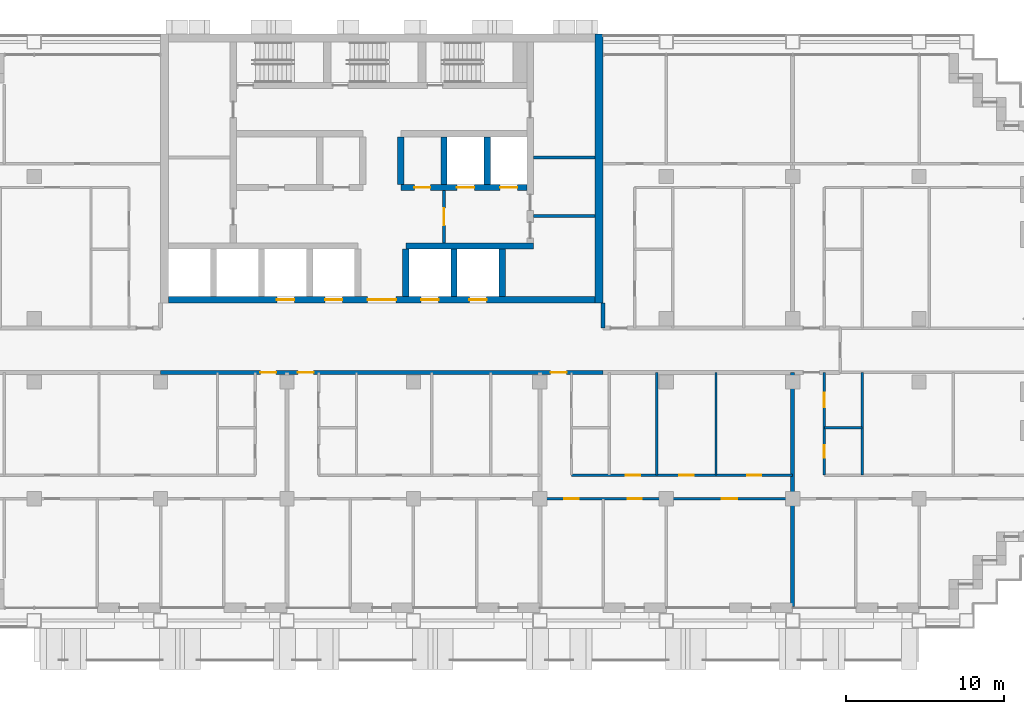
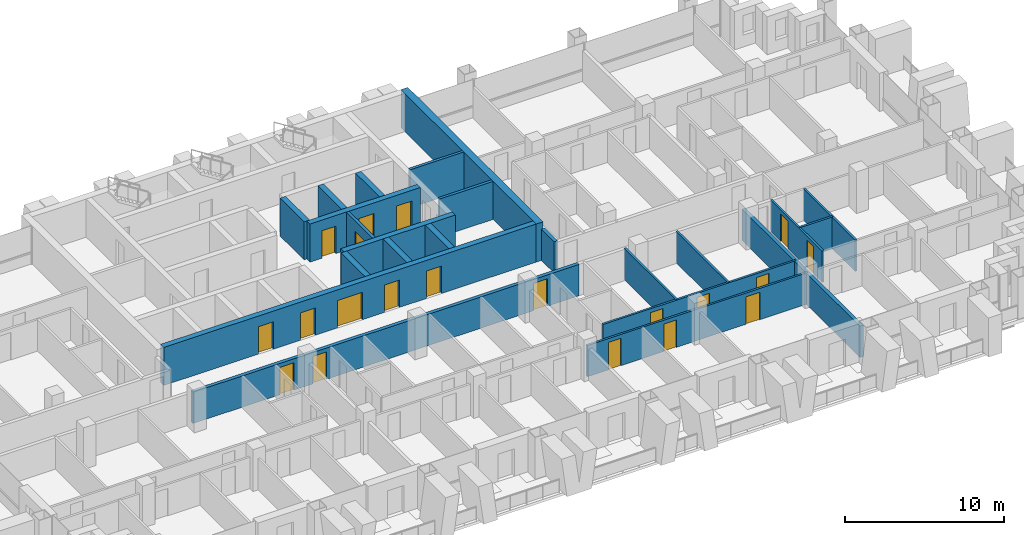
# One storey, part 11 of 18: 23 walls, 20 doors, 20 openings.
"""IFC4 building model written with IfcOpenShell, lengths in metres."""

from ifc_helpers import new_model, si_unit, direction, frame, frame_2d, origin, place, context, subcontext, project, spatial, rectangle, extrude, material, layer, layer_set, type_object, element, fill, save


model = new_model("IFC4")

# Units and contexts
model_context = context("Model", 3, precision=1e-05, world=origin(), true_north=direction((0.0, 1.0)))
body_context = subcontext(model_context, "Body", "Model", "MODEL_VIEW")
ifc_project = project(units=[si_unit("LENGTHUNIT", "METRE"), si_unit("AREAUNIT", "SQUARE_METRE"), si_unit("VOLUMEUNIT", "CUBIC_METRE"), si_unit("PLANEANGLEUNIT", "RADIAN"), si_unit("MASSUNIT", "GRAM", prefix="KILO")], contexts=[model_context])

# Site, building, storey
site_placement = place(None, origin())
site = spatial("IfcSite", under=ifc_project, at=site_placement, CompositionType="ELEMENT")
building_placement = place(site_placement, origin())
building = spatial("IfcBuilding", under=site, at=building_placement, Name="Vidyagriha Tower", CompositionType="ELEMENT")
storey_placement = place(building_placement, frame((0.0, 0.0, 80.699951171875)))
storey = spatial("IfcBuildingStorey", under=building, at=storey_placement, Name="L20", CompositionType="ELEMENT", Elevation=80.699951171875)

# Wall, openings, doors
ifc_material_1 = material(Name="Concrete C60/75", Category="concrete")
ifc_layer_1 = layer(ifc_material_1, 0.39990234375)
ifc_layer_set_1 = layer_set([ifc_layer_1], Name="Concrete C60/75")
wall_type_1 = type_object("IfcWallType", Name="Core shear wall 400 mm", PredefinedType="SHEAR", material=ifc_layer_set_1)
wall_1_placement = place(storey_placement, frame((-13.5, 3.199951171875, 0.0)))
wall_1 = element("IfcWall", 1, at=wall_1_placement, inside=storey, type_object=wall_type_1, Name="Core front wall", PredefinedType="SHEAR", context=body_context, shape_type="SweptSolid", body=[
    extrude(rectangle(XDim=27.0, YDim=0.39990234375, at=frame_2d((13.5, 0.0))), origin(), (0.0, 0.0, 1.0), 2.920166015625),
])
opening_1_placement = place(wall_1_placement, frame((6.861083984375, 0.0, 0.0)))
opening_1 = element("IfcOpeningElement", 2, at=opening_1_placement, cuts=wall_1, Name="Opening LD20-01", PredefinedType="OPENING", context=body_context, shape_type="SweptSolid", body=[
    extrude(rectangle(XDim=1.10009765625, YDim=2.10009765625, at=frame_2d((0.550048828125, 1.050048828125))), frame((0.0, 0.2099609375, 0.0), z_axis=(0.0, -1.0, 0.0), x_axis=(1.0, 0.0, 0.0)), (0.0, 0.0, 1.0), 0.419921875),
])
opening_2_placement = place(wall_1_placement, frame((9.905517578125, 0.0, 0.0)))
opening_2 = element("IfcOpeningElement", 3, at=opening_2_placement, cuts=wall_1, Name="Opening LD20-02", PredefinedType="OPENING", context=body_context, shape_type="SweptSolid", body=[
    extrude(rectangle(XDim=1.10009765625, YDim=2.10009765625, at=frame_2d((0.550048828125, 1.050048828125))), frame((0.0, 0.2099609375, 0.0), z_axis=(0.0, -1.0, 0.0), x_axis=(1.0, 0.0, 0.0)), (0.0, 0.0, 1.0), 0.419921875),
])
opening_3_placement = place(wall_1_placement, frame((15.994384765625, 0.0, 0.0)))
opening_3 = element("IfcOpeningElement", 4, at=opening_3_placement, cuts=wall_1, Name="Opening LD20-03", PredefinedType="OPENING", context=body_context, shape_type="SweptSolid", body=[
    extrude(rectangle(XDim=1.10009765625, YDim=2.10009765625, at=frame_2d((0.550048828125, 1.050048828125))), frame((0.0, 0.2099609375, 0.0), z_axis=(0.0, -1.0, 0.0), x_axis=(1.0, 0.0, 0.0)), (0.0, 0.0, 1.0), 0.419921875),
])
opening_4_placement = place(wall_1_placement, frame((19.038818359375, 0.0, 0.0)))
opening_4 = element("IfcOpeningElement", 5, at=opening_4_placement, cuts=wall_1, Name="Opening LD20-04", PredefinedType="OPENING", context=body_context, shape_type="SweptSolid", body=[
    extrude(rectangle(XDim=1.10009765625, YDim=2.10009765625, at=frame_2d((0.550048828125, 1.050048828125))), frame((0.0, 0.2099609375, 0.0), z_axis=(0.0, -1.0, 0.0), x_axis=(1.0, 0.0, 0.0)), (0.0, 0.0, 1.0), 0.419921875),
])
opening_5_placement = place(wall_1_placement, frame((12.60009765625, 0.0, 0.0)))
opening_5 = element("IfcOpeningElement", 6, at=opening_5_placement, cuts=wall_1, Name="Opening D20-01", PredefinedType="OPENING", context=body_context, shape_type="SweptSolid", body=[
    extrude(rectangle(XDim=1.800048828125, YDim=2.10009765625, at=frame_2d((0.89990234375, 1.050048828125))), frame((0.0, 0.2099609375, 0.0), z_axis=(0.0, -1.0, 0.0), x_axis=(1.0, 0.0, 0.0)), (0.0, 0.0, 1.0), 0.419921875),
])
ifc_material_2 = material(Name="Hollow metal door leaf")
door_type_1 = type_object("IfcDoorType", Name="Core lobby double door 1800 x 2100 mm EI 60", OperationType="NOTDEFINED", PredefinedType="DOOR", material=ifc_material_2)
door_1_placement = place(opening_5_placement, frame((1.800048828125, 0.0, 0.0), z_axis=(0.0, 0.0, 1.0), x_axis=(-1.0, 0.0, 0.0)))
door_1 = element("IfcDoor", 7, at=door_1_placement, inside=storey, type_object=door_type_1, Name="Core entrance door L20", OperationType="DOUBLE_DOOR_SINGLE_SWING", OverallHeight=2.10009765625, OverallWidth=1.800048828125, PredefinedType="DOOR", context=body_context, shape_type="SweptSolid", body=[
    extrude(rectangle(XDim=1.800048828125, YDim=2.10009765625, at=frame_2d((0.89990234375, 1.050048828125))), frame((0.0, 0.02490234375, 0.0), z_axis=(0.0, -1.0, 0.0), x_axis=(1.0, 0.0, 0.0)), (0.0, 0.0, 1.0), 0.050048828125),
])
fill(opening_5, door_1)
ifc_material_3 = material(Name="Stainless steel sliding door panel", Category="steel")
door_type_2 = type_object("IfcDoorType", Name="Lift landing door 1100 x 2100 mm EI 90", OperationType="NOTDEFINED", PredefinedType="DOOR", material=ifc_material_3)
door_2_placement = place(opening_1_placement, origin())
door_2 = element("IfcDoor", 8, at=door_2_placement, inside=storey, type_object=door_type_2, Name="Landing door LR1 L20", OperationType="SLIDING_TO_LEFT", OverallHeight=2.10009765625, OverallWidth=1.10009765625, PredefinedType="DOOR", context=body_context, shape_type="SweptSolid", body=[
    extrude(rectangle(XDim=1.10009765625, YDim=2.10009765625, at=frame_2d((0.550048828125, 1.050048828125))), frame((0.0, 0.02490234375, 0.0), z_axis=(0.0, -1.0, 0.0), x_axis=(1.0, 0.0, 0.0)), (0.0, 0.0, 1.0), 0.050048828125),
])
fill(opening_1, door_2)
door_3_placement = place(opening_2_placement, origin())
door_3 = element("IfcDoor", 9, at=door_3_placement, inside=storey, type_object=door_type_2, Name="Landing door LR2 L20", OperationType="SLIDING_TO_LEFT", OverallHeight=2.10009765625, OverallWidth=1.10009765625, PredefinedType="DOOR", context=body_context, shape_type="SweptSolid", body=[
    extrude(rectangle(XDim=1.10009765625, YDim=2.10009765625, at=frame_2d((0.550048828125, 1.050048828125))), frame((0.0, 0.02490234375, 0.0), z_axis=(0.0, -1.0, 0.0), x_axis=(1.0, 0.0, 0.0)), (0.0, 0.0, 1.0), 0.050048828125),
])
fill(opening_2, door_3)
door_4_placement = place(opening_3_placement, origin())
door_4 = element("IfcDoor", 10, at=door_4_placement, inside=storey, type_object=door_type_2, Name="Landing door LR3 L20", OperationType="SLIDING_TO_LEFT", OverallHeight=2.10009765625, OverallWidth=1.10009765625, PredefinedType="DOOR", context=body_context, shape_type="SweptSolid", body=[
    extrude(rectangle(XDim=1.10009765625, YDim=2.10009765625, at=frame_2d((0.550048828125, 1.050048828125))), frame((0.0, 0.02490234375, 0.0), z_axis=(0.0, -1.0, 0.0), x_axis=(1.0, 0.0, 0.0)), (0.0, 0.0, 1.0), 0.050048828125),
])
fill(opening_3, door_4)
door_5_placement = place(opening_4_placement, origin())
door_5 = element("IfcDoor", 11, at=door_5_placement, inside=storey, type_object=door_type_2, Name="Landing door LR4 L20", OperationType="SLIDING_TO_LEFT", OverallHeight=2.10009765625, OverallWidth=1.10009765625, PredefinedType="DOOR", context=body_context, shape_type="SweptSolid", body=[
    extrude(rectangle(XDim=1.10009765625, YDim=2.10009765625, at=frame_2d((0.550048828125, 1.050048828125))), frame((0.0, 0.02490234375, 0.0), z_axis=(0.0, -1.0, 0.0), x_axis=(1.0, 0.0, 0.0)), (0.0, 0.0, 1.0), 0.050048828125),
])
fill(opening_4, door_5)

# Walls
wall_2_placement = place(storey_placement, frame((1.522216796875, 6.60009765625, 0.0)))
element("IfcWall", 12, at=wall_2_placement, inside=storey, type_object=wall_type_1, Name="Core lobby south wall east", PredefinedType="SHEAR", context=body_context, shape_type="SweptSolid", body=[
    extrude(rectangle(XDim=8.077880859375, YDim=0.39990234375, at=frame_2d((4.0390625, 0.0))), origin(), (0.0, 0.0, 1.0), 2.920166015625),
])
for number, where, z_axis, x_axis, name in (
    (13, (1.522216796875, 3.39990234375, 0.0), (0.0, 0.0, 1.0), (0.0, 1.0, 0.0), "Core bay wall S5"),
    (14, (4.566650390625, 3.39990234375, 0.0), (0.0, 0.0, 1.0), (0.0, 1.0, 0.0), "Core bay wall S6"),
    (15, (7.611083984375, 3.39990234375, 0.0), (0.0, 0.0, 1.0), (0.0, 1.0, 0.0), "Core bay wall S7"),
):
    element("IfcWall", number, at=place(storey_placement, frame(where, z_axis=z_axis, x_axis=x_axis)), inside=storey, type_object=wall_type_1, Name=name, PredefinedType="SHEAR", context=body_context, shape_type="SweptSolid", body=[
        extrude(rectangle(XDim=3.0, YDim=0.39990234375, at=frame_2d((1.5, 0.0))), origin(), (0.0, 0.0, 1.0), 2.920166015625),
    ])

# Wall, openings, doors
wall_3_placement = place(storey_placement, frame((1.199951171875, 10.300048828125, 0.0)))
wall_3 = element("IfcWall", 16, at=wall_3_placement, inside=storey, type_object=wall_type_1, Name="Core row N front wall", PredefinedType="SHEAR", context=body_context, shape_type="SweptSolid", body=[
    extrude(rectangle(XDim=8.0, YDim=0.39990234375, at=frame_2d((4.0, 0.0))), origin(), (0.0, 0.0, 1.0), 2.920166015625),
])
opening_6_placement = place(wall_3_placement, frame((3.550048828125, 0.0, 0.0)))
opening_6 = element("IfcOpeningElement", 17, at=opening_6_placement, cuts=wall_3, Name="Opening LD20-05", PredefinedType="OPENING", context=body_context, shape_type="SweptSolid", body=[
    extrude(rectangle(XDim=1.10009765625, YDim=2.10009765625, at=frame_2d((0.550048828125, 1.050048828125))), frame((0.0, 0.2099609375, 0.0), z_axis=(0.0, -1.0, 0.0), x_axis=(1.0, 0.0, 0.0)), (0.0, 0.0, 1.0), 0.419921875),
])
opening_7_placement = place(wall_3_placement, frame((6.283203125, 0.0, 0.0)))
opening_7 = element("IfcOpeningElement", 18, at=opening_7_placement, cuts=wall_3, Name="Opening LD20-06", PredefinedType="OPENING", context=body_context, shape_type="SweptSolid", body=[
    extrude(rectangle(XDim=1.10009765625, YDim=2.10009765625, at=frame_2d((0.550048828125, 1.050048828125))), frame((0.0, 0.2099609375, 0.0), z_axis=(0.0, -1.0, 0.0), x_axis=(1.0, 0.0, 0.0)), (0.0, 0.0, 1.0), 0.419921875),
])
opening_8_placement = place(wall_3_placement, frame((0.86669921875, 0.0, 0.0)))
opening_8 = element("IfcOpeningElement", 19, at=opening_8_placement, cuts=wall_3, Name="Opening D20-04", PredefinedType="OPENING", context=body_context, shape_type="SweptSolid", body=[
    extrude(rectangle(XDim=1.0, YDim=2.10009765625, at=frame_2d((0.5, 1.050048828125))), frame((0.0, 0.2099609375, 0.0), z_axis=(0.0, -1.0, 0.0), x_axis=(1.0, 0.0, 0.0)), (0.0, 0.0, 1.0), 0.419921875),
])
ifc_material_4 = material(Name="Hollow metal door leaf")
door_type_3 = type_object("IfcDoorType", Name="Core room door 1000 x 2100 mm EI 60", OperationType="NOTDEFINED", PredefinedType="DOOR", material=ifc_material_4)
door_6_placement = place(opening_8_placement, frame((1.0, 0.0, 0.0), z_axis=(0.0, 0.0, 1.0), x_axis=(-1.0, 0.0, 0.0)))
door_6 = element("IfcDoor", 20, at=door_6_placement, inside=storey, type_object=door_type_3, Name="Door Pressurisation Plant Room 20.16", OperationType="SINGLE_SWING_LEFT", OverallHeight=2.10009765625, OverallWidth=1.0, PredefinedType="DOOR", context=body_context, shape_type="SweptSolid", body=[
    extrude(rectangle(XDim=1.0, YDim=2.10009765625, at=frame_2d((0.5, 1.050048828125))), frame((0.0, 0.02490234375, 0.0), z_axis=(0.0, -1.0, 0.0), x_axis=(1.0, 0.0, 0.0)), (0.0, 0.0, 1.0), 0.050048828125),
])
fill(opening_8, door_6)
door_7_placement = place(opening_6_placement, origin())
door_7 = element("IfcDoor", 21, at=door_7_placement, inside=storey, type_object=door_type_2, Name="Landing door FF1 L20", OperationType="SLIDING_TO_LEFT", OverallHeight=2.10009765625, OverallWidth=1.10009765625, PredefinedType="DOOR", context=body_context, shape_type="SweptSolid", body=[
    extrude(rectangle(XDim=1.10009765625, YDim=2.10009765625, at=frame_2d((0.550048828125, 1.050048828125))), frame((0.0, 0.02490234375, 0.0), z_axis=(0.0, -1.0, 0.0), x_axis=(1.0, 0.0, 0.0)), (0.0, 0.0, 1.0), 0.050048828125),
])
fill(opening_6, door_7)
door_8_placement = place(opening_7_placement, origin())
door_8 = element("IfcDoor", 22, at=door_8_placement, inside=storey, type_object=door_type_2, Name="Landing door FF2 L20", OperationType="SLIDING_TO_LEFT", OverallHeight=2.10009765625, OverallWidth=1.10009765625, PredefinedType="DOOR", context=body_context, shape_type="SweptSolid", body=[
    extrude(rectangle(XDim=1.10009765625, YDim=2.10009765625, at=frame_2d((0.550048828125, 1.050048828125))), frame((0.0, 0.02490234375, 0.0), z_axis=(0.0, -1.0, 0.0), x_axis=(1.0, 0.0, 0.0)), (0.0, 0.0, 1.0), 0.050048828125),
])
fill(opening_7, door_8)

# Walls
for number, where, z_axis, x_axis, name in (
    (23, (1.199951171875, 10.5, 0.0), (0.0, 0.0, 1.0), (0.0, 1.0, 0.0), "Core bay wall N4"),
    (24, (3.933349609375, 10.5, 0.0), (0.0, 0.0, 1.0), (0.0, 1.0, 0.0), "Core bay wall N5"),
    (25, (6.666748046875, 10.5, 0.0), (0.0, 0.0, 1.0), (0.0, 1.0, 0.0), "Core bay wall N6"),
):
    element("IfcWall", number, at=place(storey_placement, frame(where, z_axis=z_axis, x_axis=x_axis)), inside=storey, type_object=wall_type_1, Name=name, PredefinedType="SHEAR", context=body_context, shape_type="SweptSolid", body=[
        extrude(rectangle(XDim=3.0, YDim=0.39990234375, at=frame_2d((1.5, 0.0))), origin(), (0.0, 0.0, 1.0), 2.920166015625),
    ])
ifc_material_5 = material(Name="Concrete C60/75", Category="concrete")
ifc_layer_2 = layer(ifc_material_5, 0.5)
ifc_layer_set_2 = layer_set([ifc_layer_2], Name="Concrete C60/75")
wall_type_2 = type_object("IfcWallType", Name="Core shear wall 500 mm", PredefinedType="SHEAR", material=ifc_layer_set_2)
wall_4_placement = place(storey_placement, frame((13.75, 3.0, 0.0), z_axis=(0.0, 0.0, 1.0), x_axis=(0.0, 1.0, 0.0)))
element("IfcWall", 26, at=wall_4_placement, inside=storey, type_object=wall_type_2, Name="Core east wall", PredefinedType="SHEAR", context=body_context, shape_type="SweptSolid", body=[
    extrude(rectangle(XDim=17.0, YDim=0.5, at=frame_2d((8.5, 0.0))), origin(), (0.0, 0.0, 1.0), 2.920166015625),
])

# Wall, openings, doors
ifc_material_6 = material(Name="Fired clay brick masonry", Category="masonry")
ifc_layer_3 = layer(ifc_material_6, 0.25)
ifc_layer_set_3 = layer_set([ifc_layer_3], Name="Fired clay brick masonry")
wall_type_3 = type_object("IfcWallType", Name="Fired clay brick corridor wall 250", PredefinedType="PARTITIONING", material=ifc_layer_set_3)
wall_5_placement = place(storey_placement, frame((14.0, -1.39990234375, 0.0), z_axis=(0.0, 0.0, 1.0), x_axis=(-1.0, 0.0, 0.0)))
wall_5 = element("IfcWall", 27, at=wall_5_placement, inside=storey, type_object=wall_type_3, Name="Wall all-L20-w131", PredefinedType="PARTITIONING", context=body_context, shape_type="SweptSolid", body=[
    extrude(rectangle(XDim=28.0, YDim=0.25, at=frame_2d((14.0, 0.0))), origin(), (0.0, 0.0, 1.0), 2.400146484375),
])
opening_9_placement = place(wall_5_placement, frame((20.68896484375, 0.0, 0.0)))
opening_9 = element("IfcOpeningElement", 28, at=opening_9_placement, cuts=wall_5, Name="Opening D20-24", PredefinedType="OPENING", context=body_context, shape_type="SweptSolid", body=[
    extrude(rectangle(XDim=1.0, YDim=2.10009765625, at=frame_2d((0.5, 1.050048828125))), frame((0.0, 0.135009765625, 0.0), z_axis=(0.0, -1.0, 0.0), x_axis=(1.0, 0.0, 0.0)), (0.0, 0.0, 1.0), 0.27001953125),
])
opening_10_placement = place(wall_5_placement, frame((18.31103515625, 0.0, 0.0)))
opening_10 = element("IfcOpeningElement", 29, at=opening_10_placement, cuts=wall_5, Name="Opening D20-34", PredefinedType="OPENING", context=body_context, shape_type="SweptSolid", body=[
    extrude(rectangle(XDim=1.0, YDim=2.10009765625, at=frame_2d((0.5, 1.050048828125))), frame((0.0, 0.135009765625, 0.0), z_axis=(0.0, -1.0, 0.0), x_axis=(1.0, 0.0, 0.0)), (0.0, 0.0, 1.0), 0.27001953125),
])
opening_11_placement = place(wall_5_placement, frame((2.31103515625, 0.0, 0.0)))
opening_11 = element("IfcOpeningElement", 30, at=opening_11_placement, cuts=wall_5, Name="Opening D20-43", PredefinedType="OPENING", context=body_context, shape_type="SweptSolid", body=[
    extrude(rectangle(XDim=1.0, YDim=2.10009765625, at=frame_2d((0.5, 1.050048828125))), frame((0.0, 0.135009765625, 0.0), z_axis=(0.0, -1.0, 0.0), x_axis=(1.0, 0.0, 0.0)), (0.0, 0.0, 1.0), 0.27001953125),
])
ifc_material_7 = material(Name="Fire-rated timber door leaf EI 60", Category="wood")
door_type_4 = type_object("IfcDoorType", Name="Flat entrance fire door 1000x2100", OperationType="NOTDEFINED", PredefinedType="DOOR", material=ifc_material_7)
door_9_placement = place(opening_9_placement, origin())
door_9 = element("IfcDoor", 31, at=door_9_placement, inside=storey, type_object=door_type_4, Name="Door D20-24", OperationType="SINGLE_SWING_LEFT", OverallHeight=2.10009765625, OverallWidth=1.0, PredefinedType="DOOR", context=body_context, shape_type="SweptSolid", body=[
    extrude(rectangle(XDim=1.0, YDim=2.10009765625, at=frame_2d((0.5, 1.050048828125))), frame((0.0, 0.02490234375, 0.0), z_axis=(0.0, -1.0, 0.0), x_axis=(1.0, 0.0, 0.0)), (0.0, 0.0, 1.0), 0.050048828125),
])
fill(opening_9, door_9)
door_10_placement = place(opening_10_placement, origin())
door_10 = element("IfcDoor", 32, at=door_10_placement, inside=storey, type_object=door_type_4, Name="Door D20-34", OperationType="SINGLE_SWING_RIGHT", OverallHeight=2.10009765625, OverallWidth=1.0, PredefinedType="DOOR", context=body_context, shape_type="SweptSolid", body=[
    extrude(rectangle(XDim=1.0, YDim=2.10009765625, at=frame_2d((0.5, 1.050048828125))), frame((0.0, 0.02490234375, 0.0), z_axis=(0.0, -1.0, 0.0), x_axis=(1.0, 0.0, 0.0)), (0.0, 0.0, 1.0), 0.050048828125),
])
fill(opening_10, door_10)
door_11_placement = place(opening_11_placement, origin())
door_11 = element("IfcDoor", 33, at=door_11_placement, inside=storey, type_object=door_type_4, Name="Door D20-43", OperationType="SINGLE_SWING_RIGHT", OverallHeight=2.10009765625, OverallWidth=1.0, PredefinedType="DOOR", context=body_context, shape_type="SweptSolid", body=[
    extrude(rectangle(XDim=1.0, YDim=2.10009765625, at=frame_2d((0.5, 1.050048828125))), frame((0.0, 0.02490234375, 0.0), z_axis=(0.0, -1.0, 0.0), x_axis=(1.0, 0.0, 0.0)), (0.0, 0.0, 1.0), 0.050048828125),
])
fill(opening_11, door_11)

# Walls
wall_6_placement = place(storey_placement, frame((14.0, 1.39990234375, 0.0), z_axis=(0.0, 0.0, 1.0), x_axis=(0.0, 1.0, 0.0)))
element("IfcWall", 34, at=wall_6_placement, inside=storey, type_object=wall_type_3, Name="Wall all-L20-w133", PredefinedType="PARTITIONING", context=body_context, shape_type="SweptSolid", body=[
    extrude(rectangle(XDim=1.60009765625, YDim=0.25, at=frame_2d((0.800048828125, 0.0))), origin(), (0.0, 0.0, 1.0), 2.400146484375),
])
ifc_material_8 = material(Name="Fired clay brick masonry", Category="masonry")
ifc_layer_4 = layer(ifc_material_8, 0.25)
ifc_layer_set_4 = layer_set([ifc_layer_4], Name="Fired clay brick masonry")
wall_type_4 = type_object("IfcWallType", Name="Fired clay brick demising wall 250", PredefinedType="PARTITIONING", material=ifc_layer_set_4)
wall_7_placement = place(storey_placement, frame((26.0, -1.39990234375, 0.0), z_axis=(0.0, 0.0, 1.0), x_axis=(0.0, -1.0, 0.0)))
element("IfcWall", 35, at=wall_7_placement, inside=storey, type_object=wall_type_4, Name="Wall all-L20-w079", PredefinedType="PARTITIONING", context=body_context, shape_type="SweptSolid", body=[
    extrude(rectangle(XDim=14.81005859375, YDim=0.25, at=frame_2d((7.405029296875, 0.0))), origin(), (0.0, 0.0, 1.0), 2.400146484375),
])
ifc_material_9 = material(Name="Gypsum board partition")
ifc_layer_5 = layer(ifc_material_9, 0.14990234375)
ifc_layer_set_5 = layer_set([ifc_layer_5], Name="Gypsum board partition")
wall_type_5 = type_object("IfcWallType", Name="Gypsum board partition 150", PredefinedType="PARTITIONING", material=ifc_layer_set_5)
for number, where, z_axis, x_axis, name in (
    (36, (17.39990234375, -1.39990234375, 0.0), (0.0, 0.0, 1.0), (0.0, -1.0, 0.0), "Wall all-L20-w049"),
    (37, (21.14990234375, -1.39990234375, 0.0), (0.0, 0.0, 1.0), (0.0, -1.0, 0.0), "Wall all-L20-w050"),
):
    element("IfcWall", number, at=place(storey_placement, frame(where, z_axis=z_axis, x_axis=x_axis)), inside=storey, type_object=wall_type_5, Name=name, PredefinedType="PARTITIONING", context=body_context, shape_type="SweptSolid", body=[
        extrude(rectangle(XDim=6.5, YDim=0.14990234375, at=frame_2d((3.25, 0.0))), origin(), (0.0, 0.0, 1.0), 2.400146484375),
    ])

# Wall, openings, doors
wall_8_placement = place(storey_placement, frame((12.0, -7.89990234375, 0.0)))
wall_8 = element("IfcWall", 38, at=wall_8_placement, inside=storey, type_object=wall_type_5, Name="Wall all-L20-w051", PredefinedType="PARTITIONING", context=body_context, shape_type="SweptSolid", body=[
    extrude(rectangle(XDim=14.0, YDim=0.14990234375, at=frame_2d((7.0, 0.0))), origin(), (0.0, 0.0, 1.0), 2.400146484375),
])
opening_12_placement = place(wall_8_placement, frame((3.449951171875, 0.0, 0.0)))
opening_12 = element("IfcOpeningElement", 39, at=opening_12_placement, cuts=wall_8, Name="Opening D20-37", PredefinedType="OPENING", context=body_context, shape_type="SweptSolid", body=[
    extrude(rectangle(XDim=0.89990234375, YDim=2.10009765625, at=frame_2d((0.449951171875, 1.050048828125))), frame((0.0, 0.0849609375, 0.0), z_axis=(0.0, -1.0, 0.0), x_axis=(1.0, 0.0, 0.0)), (0.0, 0.0, 1.0), 0.169921875),
])
opening_13_placement = place(wall_8_placement, frame((6.824951171875, 0.0, 0.0)))
opening_13 = element("IfcOpeningElement", 40, at=opening_13_placement, cuts=wall_8, Name="Opening D20-38", PredefinedType="OPENING", context=body_context, shape_type="SweptSolid", body=[
    extrude(rectangle(XDim=0.89990234375, YDim=2.10009765625, at=frame_2d((0.449951171875, 1.050048828125))), frame((0.0, 0.0849609375, 0.0), z_axis=(0.0, -1.0, 0.0), x_axis=(1.0, 0.0, 0.0)), (0.0, 0.0, 1.0), 0.169921875),
])
opening_14_placement = place(wall_8_placement, frame((11.125, 0.0, 0.0)))
opening_14 = element("IfcOpeningElement", 41, at=opening_14_placement, cuts=wall_8, Name="Opening D20-39", PredefinedType="OPENING", context=body_context, shape_type="SweptSolid", body=[
    extrude(rectangle(XDim=0.89990234375, YDim=2.10009765625, at=frame_2d((0.449951171875, 1.050048828125))), frame((0.0, 0.0849609375, 0.0), z_axis=(0.0, -1.0, 0.0), x_axis=(1.0, 0.0, 0.0)), (0.0, 0.0, 1.0), 0.169921875),
])
ifc_material_10 = material(Name="Timber door leaf", Category="wood")
door_type_5 = type_object("IfcDoorType", Name="Room door 900x2100", OperationType="NOTDEFINED", PredefinedType="DOOR", material=ifc_material_10)
door_12_placement = place(opening_12_placement, origin())
door_12 = element("IfcDoor", 42, at=door_12_placement, inside=storey, type_object=door_type_5, Name="Door D20-37", OperationType="SINGLE_SWING_RIGHT", OverallHeight=2.10009765625, OverallWidth=0.89990234375, PredefinedType="DOOR", context=body_context, shape_type="SweptSolid", body=[
    extrude(rectangle(XDim=0.89990234375, YDim=2.10009765625, at=frame_2d((0.449951171875, 1.050048828125))), frame((0.0, 0.02490234375, 0.0), z_axis=(0.0, -1.0, 0.0), x_axis=(1.0, 0.0, 0.0)), (0.0, 0.0, 1.0), 0.050048828125),
])
fill(opening_12, door_12)
door_13_placement = place(opening_13_placement, origin())
door_13 = element("IfcDoor", 43, at=door_13_placement, inside=storey, type_object=door_type_5, Name="Door D20-38", OperationType="SINGLE_SWING_RIGHT", OverallHeight=2.10009765625, OverallWidth=0.89990234375, PredefinedType="DOOR", context=body_context, shape_type="SweptSolid", body=[
    extrude(rectangle(XDim=0.89990234375, YDim=2.10009765625, at=frame_2d((0.449951171875, 1.050048828125))), frame((0.0, 0.02490234375, 0.0), z_axis=(0.0, -1.0, 0.0), x_axis=(1.0, 0.0, 0.0)), (0.0, 0.0, 1.0), 0.050048828125),
])
fill(opening_13, door_13)
door_14_placement = place(opening_14_placement, origin())
door_14 = element("IfcDoor", 44, at=door_14_placement, inside=storey, type_object=door_type_5, Name="Door D20-39", OperationType="SINGLE_SWING_RIGHT", OverallHeight=2.10009765625, OverallWidth=0.89990234375, PredefinedType="DOOR", context=body_context, shape_type="SweptSolid", body=[
    extrude(rectangle(XDim=0.89990234375, YDim=2.10009765625, at=frame_2d((0.449951171875, 1.050048828125))), frame((0.0, 0.02490234375, 0.0), z_axis=(0.0, -1.0, 0.0), x_axis=(1.0, 0.0, 0.0)), (0.0, 0.0, 1.0), 0.050048828125),
])
fill(opening_14, door_14)

wall_9_placement = place(storey_placement, frame((26.0, -9.39990234375, 0.0), z_axis=(0.0, 0.0, 1.0), x_axis=(-1.0, 0.0, 0.0)))
wall_9 = element("IfcWall", 45, at=wall_9_placement, inside=storey, type_object=wall_type_5, Name="Wall all-L20-w055", PredefinedType="PARTITIONING", context=body_context, shape_type="SweptSolid", body=[
    extrude(rectangle(XDim=16.0, YDim=0.14990234375, at=frame_2d((8.0, 0.0))), origin(), (0.0, 0.0, 1.0), 2.400146484375),
])
opening_15_placement = place(wall_9_placement, frame((13.550048828125, 0.0, 0.0)))
opening_15 = element("IfcOpeningElement", 46, at=opening_15_placement, cuts=wall_9, Name="Opening D20-40", PredefinedType="OPENING", context=body_context, shape_type="SweptSolid", body=[
    extrude(rectangle(XDim=0.89990234375, YDim=2.10009765625, at=frame_2d((0.449951171875, 1.050048828125))), frame((0.0, 0.0849609375, 0.0), z_axis=(0.0, -1.0, 0.0), x_axis=(1.0, 0.0, 0.0)), (0.0, 0.0, 1.0), 0.169921875),
])
opening_16_placement = place(wall_9_placement, frame((9.550048828125, 0.0, 0.0)))
opening_16 = element("IfcOpeningElement", 47, at=opening_16_placement, cuts=wall_9, Name="Opening D20-41", PredefinedType="OPENING", context=body_context, shape_type="SweptSolid", body=[
    extrude(rectangle(XDim=0.89990234375, YDim=2.10009765625, at=frame_2d((0.449951171875, 1.050048828125))), frame((0.0, 0.0849609375, 0.0), z_axis=(0.0, -1.0, 0.0), x_axis=(1.0, 0.0, 0.0)), (0.0, 0.0, 1.0), 0.169921875),
])
opening_17_placement = place(wall_9_placement, frame((3.5, 0.0, 0.0)))
opening_17 = element("IfcOpeningElement", 48, at=opening_17_placement, cuts=wall_9, Name="Opening D20-42", PredefinedType="OPENING", context=body_context, shape_type="SweptSolid", body=[
    extrude(rectangle(XDim=1.0, YDim=2.10009765625, at=frame_2d((0.5, 1.050048828125))), frame((0.0, 0.0849609375, 0.0), z_axis=(0.0, -1.0, 0.0), x_axis=(1.0, 0.0, 0.0)), (0.0, 0.0, 1.0), 0.169921875),
])
ifc_material_11 = material(Name="Timber door leaf", Category="wood")
door_type_6 = type_object("IfcDoorType", Name="Room door 1000x2100", OperationType="NOTDEFINED", PredefinedType="DOOR", material=ifc_material_11)
door_15_placement = place(opening_17_placement, origin())
door_15 = element("IfcDoor", 49, at=door_15_placement, inside=storey, type_object=door_type_6, Name="Door D20-42", OperationType="SINGLE_SWING_RIGHT", OverallHeight=2.10009765625, OverallWidth=1.0, PredefinedType="DOOR", context=body_context, shape_type="SweptSolid", body=[
    extrude(rectangle(XDim=1.0, YDim=2.10009765625, at=frame_2d((0.5, 1.050048828125))), frame((0.0, 0.02490234375, 0.0), z_axis=(0.0, -1.0, 0.0), x_axis=(1.0, 0.0, 0.0)), (0.0, 0.0, 1.0), 0.050048828125),
])
fill(opening_17, door_15)
door_16_placement = place(opening_15_placement, origin())
door_16 = element("IfcDoor", 50, at=door_16_placement, inside=storey, type_object=door_type_5, Name="Door D20-40", OperationType="SINGLE_SWING_RIGHT", OverallHeight=2.10009765625, OverallWidth=0.89990234375, PredefinedType="DOOR", context=body_context, shape_type="SweptSolid", body=[
    extrude(rectangle(XDim=0.89990234375, YDim=2.10009765625, at=frame_2d((0.449951171875, 1.050048828125))), frame((0.0, 0.02490234375, 0.0), z_axis=(0.0, -1.0, 0.0), x_axis=(1.0, 0.0, 0.0)), (0.0, 0.0, 1.0), 0.050048828125),
])
fill(opening_15, door_16)
door_17_placement = place(opening_16_placement, origin())
door_17 = element("IfcDoor", 51, at=door_17_placement, inside=storey, type_object=door_type_5, Name="Door D20-41", OperationType="SINGLE_SWING_RIGHT", OverallHeight=2.10009765625, OverallWidth=0.89990234375, PredefinedType="DOOR", context=body_context, shape_type="SweptSolid", body=[
    extrude(rectangle(XDim=0.89990234375, YDim=2.10009765625, at=frame_2d((0.449951171875, 1.050048828125))), frame((0.0, 0.02490234375, 0.0), z_axis=(0.0, -1.0, 0.0), x_axis=(1.0, 0.0, 0.0)), (0.0, 0.0, 1.0), 0.050048828125),
])
fill(opening_16, door_17)

# Walls
wall_10_placement = place(storey_placement, frame((30.39990234375, -4.89990234375, 0.0), z_axis=(0.0, 0.0, 1.0), x_axis=(-1.0, 0.0, 0.0)))
element("IfcWall", 52, at=wall_10_placement, inside=storey, type_object=wall_type_5, Name="Wall all-L20-w066", PredefinedType="PARTITIONING", context=body_context, shape_type="SweptSolid", body=[
    extrude(rectangle(XDim=2.39990234375, YDim=0.14990234375, at=frame_2d((1.199951171875, 0.0))), origin(), (0.0, 0.0, 1.0), 2.400146484375),
])
wall_11_placement = place(storey_placement, frame((30.39990234375, -1.39990234375, 0.0), z_axis=(0.0, 0.0, 1.0), x_axis=(0.0, -1.0, 0.0)))
element("IfcWall", 53, at=wall_11_placement, inside=storey, type_object=wall_type_5, Name="Wall all-L20-w067", PredefinedType="PARTITIONING", context=body_context, shape_type="SweptSolid", body=[
    extrude(rectangle(XDim=6.5, YDim=0.14990234375, at=frame_2d((3.25, 0.0))), origin(), (0.0, 0.0, 1.0), 2.400146484375),
])

# Wall, openings, doors
ifc_material_12 = material(Name="Moisture resistant gypsum board partition")
ifc_layer_6 = layer(ifc_material_12, 0.14990234375)
ifc_layer_set_6 = layer_set([ifc_layer_6], Name="Moisture resistant gypsum board partition")
wall_type_6 = type_object("IfcWallType", Name="Gypsum board wet-area partition 150", PredefinedType="PARTITIONING", material=ifc_layer_set_6)
wall_12_placement = place(storey_placement, frame((28.0, -1.39990234375, 0.0), z_axis=(0.0, 0.0, 1.0), x_axis=(0.0, -1.0, 0.0)))
wall_12 = element("IfcWall", 54, at=wall_12_placement, inside=storey, type_object=wall_type_6, Name="Wall all-L20-w063", PredefinedType="PARTITIONING", context=body_context, shape_type="SweptSolid", body=[
    extrude(rectangle(XDim=6.5, YDim=0.14990234375, at=frame_2d((3.25, 0.0))), origin(), (0.0, 0.0, 1.0), 2.400146484375),
])
opening_18_placement = place(wall_12_placement, frame((1.300048828125, 0.0, 0.0)))
opening_18 = element("IfcOpeningElement", 55, at=opening_18_placement, cuts=wall_12, Name="Opening D20-44", PredefinedType="OPENING", context=body_context, shape_type="SweptSolid", body=[
    extrude(rectangle(XDim=0.89990234375, YDim=2.10009765625, at=frame_2d((0.449951171875, 1.050048828125))), frame((0.0, 0.0849609375, 0.0), z_axis=(0.0, -1.0, 0.0), x_axis=(1.0, 0.0, 0.0)), (0.0, 0.0, 1.0), 0.169921875),
])
opening_19_placement = place(wall_12_placement, frame((4.60009765625, 0.0, 0.0)))
opening_19 = element("IfcOpeningElement", 56, at=opening_19_placement, cuts=wall_12, Name="Opening D20-45", PredefinedType="OPENING", context=body_context, shape_type="SweptSolid", body=[
    extrude(rectangle(XDim=0.800048828125, YDim=2.10009765625, at=frame_2d((0.39990234375, 1.050048828125))), frame((0.0, 0.0849609375, 0.0), z_axis=(0.0, -1.0, 0.0), x_axis=(1.0, 0.0, 0.0)), (0.0, 0.0, 1.0), 0.169921875),
])
ifc_material_13 = material(Name="Timber door leaf", Category="wood")
door_type_7 = type_object("IfcDoorType", Name="Bathroom door 800x2100", OperationType="NOTDEFINED", PredefinedType="DOOR", material=ifc_material_13)
door_18_placement = place(opening_19_placement, origin())
door_18 = element("IfcDoor", 57, at=door_18_placement, inside=storey, type_object=door_type_7, Name="Door D20-45", OperationType="SINGLE_SWING_RIGHT", OverallHeight=2.10009765625, OverallWidth=0.800048828125, PredefinedType="DOOR", context=body_context, shape_type="SweptSolid", body=[
    extrude(rectangle(XDim=0.800048828125, YDim=2.10009765625, at=frame_2d((0.39990234375, 1.050048828125))), frame((0.0, 0.02490234375, 0.0), z_axis=(0.0, -1.0, 0.0), x_axis=(1.0, 0.0, 0.0)), (0.0, 0.0, 1.0), 0.050048828125),
])
fill(opening_19, door_18)
ifc_material_14 = material(Name="Timber door leaf", Category="wood")
door_type_8 = type_object("IfcDoorType", Name="Kitchen door 900x2100", OperationType="NOTDEFINED", PredefinedType="DOOR", material=ifc_material_14)
door_19_placement = place(opening_18_placement, origin())
door_19 = element("IfcDoor", 58, at=door_19_placement, inside=storey, type_object=door_type_8, Name="Door D20-44", OperationType="SINGLE_SWING_LEFT", OverallHeight=2.10009765625, OverallWidth=0.89990234375, PredefinedType="DOOR", context=body_context, shape_type="SweptSolid", body=[
    extrude(rectangle(XDim=0.89990234375, YDim=2.10009765625, at=frame_2d((0.449951171875, 1.050048828125))), frame((0.0, 0.02490234375, 0.0), z_axis=(0.0, -1.0, 0.0), x_axis=(1.0, 0.0, 0.0)), (0.0, 0.0, 1.0), 0.050048828125),
])
fill(opening_18, door_19)

# Wall, opening, door
ifc_material_15 = material(Name="Blockwork 15 MPa", Category="masonry")
ifc_layer_7 = layer(ifc_material_15, 0.199951171875)
ifc_layer_set_7 = layer_set([ifc_layer_7], Name="Blockwork 15 MPa")
wall_type_7 = type_object("IfcWallType", Name="Service room partition 200 mm", PredefinedType="PARTITIONING", material=ifc_layer_set_7)
wall_13_placement = place(storey_placement, frame((3.933349609375, 6.800048828125, 0.0), z_axis=(0.0, 0.0, 1.0), x_axis=(0.0, 1.0, 0.0)))
wall_13 = element("IfcWall", 59, at=wall_13_placement, inside=storey, type_object=wall_type_7, Name="Fire-fighting lobby west wall", PredefinedType="PARTITIONING", context=body_context, shape_type="SweptSolid", body=[
    extrude(rectangle(XDim=3.300048828125, YDim=0.199951171875, at=frame_2d((1.64990234375, 0.0))), origin(), (0.0, 0.0, 1.0), 2.920166015625),
])
opening_20_placement = place(wall_13_placement, frame((1.10009765625, 0.0, 0.0)))
opening_20 = element("IfcOpeningElement", 60, at=opening_20_placement, cuts=wall_13, Name="Opening D20-05", PredefinedType="OPENING", context=body_context, shape_type="SweptSolid", body=[
    extrude(rectangle(XDim=1.10009765625, YDim=2.10009765625, at=frame_2d((0.550048828125, 1.050048828125))), frame((0.0, 0.10986328125, 0.0), z_axis=(0.0, -1.0, 0.0), x_axis=(1.0, 0.0, 0.0)), (0.0, 0.0, 1.0), 0.219970703125),
])
ifc_material_16 = material(Name="Hollow metal door leaf")
door_type_9 = type_object("IfcDoorType", Name="Fire-fighting lobby door 1100 x 2100 mm EI 90", OperationType="NOTDEFINED", PredefinedType="DOOR", material=ifc_material_16)
door_20_placement = place(opening_20_placement, origin())
door_20 = element("IfcDoor", 61, at=door_20_placement, inside=storey, type_object=door_type_9, Name="Fire-fighting lobby door L20", OperationType="SINGLE_SWING_RIGHT", OverallHeight=2.10009765625, OverallWidth=1.10009765625, PredefinedType="DOOR", context=body_context, shape_type="SweptSolid", body=[
    extrude(rectangle(XDim=1.10009765625, YDim=2.10009765625, at=frame_2d((0.550048828125, 1.050048828125))), frame((0.0, 0.02490234375, 0.0), z_axis=(0.0, -1.0, 0.0), x_axis=(1.0, 0.0, 0.0)), (0.0, 0.0, 1.0), 0.050048828125),
])
fill(opening_20, door_20)

# Walls
for number, where, name in (
    (62, (9.60009765625, 8.5, 0.0), "Core room partition E1"),
    (63, (9.60009765625, 12.199951171875, 0.0), "Core room partition E2"),
):
    element("IfcWall", number, at=place(storey_placement, frame(where)), inside=storey, type_object=wall_type_7, Name=name, PredefinedType="PARTITIONING", context=body_context, shape_type="SweptSolid", body=[
        extrude(rectangle(XDim=3.89990234375, YDim=0.199951171875, at=frame_2d((1.949951171875, 0.0))), origin(), (0.0, 0.0, 1.0), 2.920166015625),
    ])

save(model, "model.ifc")
